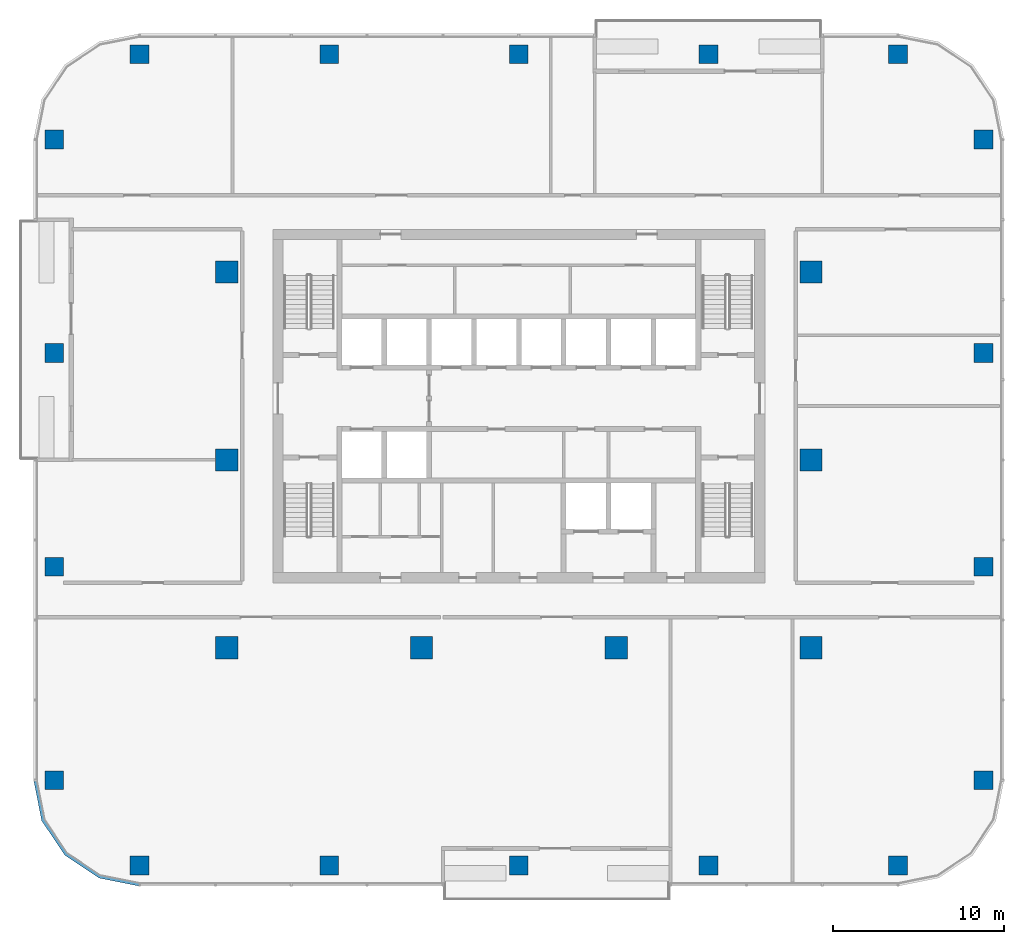
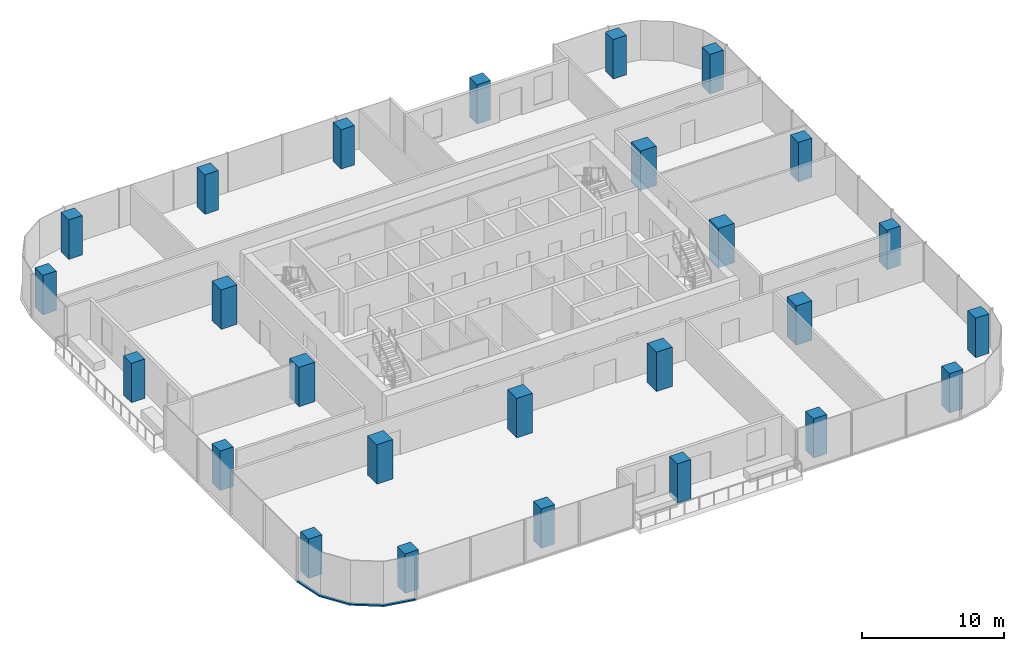
# One storey, part 1 of 14: 26 columns, 1 member, 1 element without a shape of its own.
"""IFC4 building model written with IfcOpenShell, lengths in metres."""

from ifc_helpers import new_model, si_unit, direction, frame, origin, origin_2d, place, context, subcontext, project, spatial, polyline, rectangle, outline, extrude, material, material_profile, profile_set, type_object, element, aggregate, save


model = new_model("IFC4")

# Units and contexts
model_context = context("Model", 3, precision=1e-05, world=origin(), true_north=direction((0.0, 1.0)))
body_context = subcontext(model_context, "Body", "Model", "MODEL_VIEW")
ifc_project = project(units=[si_unit("LENGTHUNIT", "METRE"), si_unit("AREAUNIT", "SQUARE_METRE"), si_unit("VOLUMEUNIT", "CUBIC_METRE"), si_unit("PLANEANGLEUNIT", "RADIAN"), si_unit("MASSUNIT", "GRAM", prefix="KILO")], contexts=[model_context])

# Site, building, storey
site_placement = place(None, origin())
site = spatial("IfcSite", under=ifc_project, at=site_placement, CompositionType="ELEMENT")
building_placement = place(site_placement, origin())
building = spatial("IfcBuilding", under=site, at=building_placement, Name="Mopane Tessera Tower", CompositionType="ELEMENT")
storey_placement = place(building_placement, frame((0.0, 0.0, 255.0)))
storey = spatial("IfcBuildingStorey", under=building, at=storey_placement, Name="L55", CompositionType="ELEMENT", Elevation=255.0)

# Columns
ifc_material_1 = material(Name="Concrete C50/60", Category="concrete")
ifc_material_profile_1 = material_profile(ifc_material_1, rectangle(XDim=1.300048828125, YDim=1.300048828125, at=origin_2d()))
ifc_profile_set_1 = profile_set([ifc_material_profile_1], Name="Concrete C50/60")
column_type_1 = type_object("IfcColumnType", Name="Interior column 1300 x 1300 C50/60", PredefinedType="COLUMN", material=ifc_profile_set_1)
for number, where, z_axis, x_axis, name in (
    (1, (-17.10009765625, -11.0, 0.0), (0.0, 0.0, 1.0), (1.0, 0.0, 0.0), "Interior column I1A L55"),
    (2, (-17.10009765625, 0.0, 0.0), (0.0, 0.0, 1.0), (1.0, 0.0, 0.0), "Interior column I1B L55"),
    (3, (-17.10009765625, 11.0, 0.0), (0.0, 0.0, 1.0), (1.0, 0.0, 0.0), "Interior column I1C L55"),
    (4, (-5.699951171875, -11.0, 0.0), (0.0, 0.0, 1.0), (1.0, 0.0, 0.0), "Interior column I2A L55"),
    (5, (5.699951171875, -11.0, 0.0), (0.0, 0.0, 1.0), (1.0, 0.0, 0.0), "Interior column I3A L55"),
    (6, (17.10009765625, -11.0, 0.0), (0.0, 0.0, 1.0), (1.0, 0.0, 0.0), "Interior column I4A L55"),
    (7, (17.10009765625, 0.0, 0.0), (0.0, 0.0, 1.0), (1.0, 0.0, 0.0), "Interior column I4B L55"),
    (8, (17.10009765625, 11.0, 0.0), (0.0, 0.0, 1.0), (1.0, 0.0, 0.0), "Interior column I4C L55"),
):
    element("IfcColumn", number, at=place(storey_placement, frame(where, z_axis=z_axis, x_axis=x_axis)), inside=storey, type_object=column_type_1, Name=name, PredefinedType="COLUMN", context=body_context, shape_type="SweptSolid", body=[
        extrude(rectangle(XDim=1.300048828125, YDim=1.300048828125, at=origin_2d()), origin(), (0.0, 0.0, 1.0), 3.39990234375),
    ])
ifc_material_2 = material(Name="Concrete C50/60", Category="concrete")
ifc_material_profile_2 = material_profile(ifc_material_2, rectangle(XDim=1.10009765625, YDim=1.10009765625, at=origin_2d()))
ifc_profile_set_2 = profile_set([ifc_material_profile_2], Name="Concrete C50/60")
column_type_2 = type_object("IfcColumnType", Name="Ring column 1100 x 1100 C50/60", PredefinedType="COLUMN", material=ifc_profile_set_2)
for number, where, z_axis, x_axis, name in (
    (9, (-22.199951171875, -23.75, 0.0), (0.0, 0.0, 1.0), (1.0, 0.0, 0.0), "Ring column S0 L55"),
    (10, (-11.10009765625, -23.75, 0.0), (0.0, 0.0, 1.0), (1.0, 0.0, 0.0), "Ring column S1 L55"),
    (11, (0.0, -23.75, 0.0), (0.0, 0.0, 1.0), (1.0, 0.0, 0.0), "Ring column S2 L55"),
    (12, (11.10009765625, -23.75, 0.0), (0.0, 0.0, 1.0), (1.0, 0.0, 0.0), "Ring column S3 L55"),
    (13, (22.199951171875, -23.75, 0.0), (0.0, 0.0, 1.0), (1.0, 0.0, 0.0), "Ring column S4 L55"),
    (14, (27.199951171875, -18.75, 0.0), (0.0, 0.0, 1.0), (1.0, 0.0, 0.0), "Ring column E0 L55"),
    (15, (27.199951171875, -6.25, 0.0), (0.0, 0.0, 1.0), (1.0, 0.0, 0.0), "Ring column E1 L55"),
    (16, (27.199951171875, 6.25, 0.0), (0.0, 0.0, 1.0), (1.0, 0.0, 0.0), "Ring column E2 L55"),
    (17, (27.199951171875, 18.75, 0.0), (0.0, 0.0, 1.0), (1.0, 0.0, 0.0), "Ring column E3 L55"),
    (18, (22.199951171875, 23.75, 0.0), (0.0, 0.0, 1.0), (1.0, 0.0, 0.0), "Ring column N0 L55"),
    (19, (11.10009765625, 23.75, 0.0), (0.0, 0.0, 1.0), (1.0, 0.0, 0.0), "Ring column N1 L55"),
    (20, (0.0, 23.75, 0.0), (0.0, 0.0, 1.0), (1.0, 0.0, 0.0), "Ring column N2 L55"),
    (21, (-11.10009765625, 23.75, 0.0), (0.0, 0.0, 1.0), (1.0, 0.0, 0.0), "Ring column N3 L55"),
    (22, (-22.199951171875, 23.75, 0.0), (0.0, 0.0, 1.0), (1.0, 0.0, 0.0), "Ring column N4 L55"),
    (23, (-27.199951171875, 18.75, 0.0), (0.0, 0.0, 1.0), (1.0, 0.0, 0.0), "Ring column W0 L55"),
    (24, (-27.199951171875, 6.25, 0.0), (0.0, 0.0, 1.0), (1.0, 0.0, 0.0), "Ring column W1 L55"),
    (25, (-27.199951171875, -6.25, 0.0), (0.0, 0.0, 1.0), (1.0, 0.0, 0.0), "Ring column W2 L55"),
    (26, (-27.199951171875, -18.75, 0.0), (0.0, 0.0, 1.0), (1.0, 0.0, 0.0), "Ring column W3 L55"),
):
    element("IfcColumn", number, at=place(storey_placement, frame(where, z_axis=z_axis, x_axis=x_axis)), inside=storey, type_object=column_type_2, Name=name, PredefinedType="COLUMN", context=body_context, shape_type="SweptSolid", body=[
        extrude(rectangle(XDim=1.10009765625, YDim=1.10009765625, at=origin_2d()), origin(), (0.0, 0.0, 1.0), 3.39990234375),
    ])

# Curtain wall, member
ifc_material_3 = material(Name="Aluminium frame", Category="aluminium")
curtain_wall_type = type_object("IfcCurtainWallType", Name="Unitised curtain wall", PredefinedType="NOTDEFINED", material=ifc_material_3)
curtain_wall_placement = place(storey_placement, origin())
curtain_wall = element("IfcCurtainWall", 27, at=curtain_wall_placement, inside=storey, type_object=curtain_wall_type, Name="e:cw:L55:CW", PredefinedType="NOTDEFINED")
ifc_material_4 = material(Name="Aluminium frame", Category="aluminium")
ifc_material_profile_3 = material_profile(ifc_material_4, rectangle(XDim=0.199951171875, YDim=0.1201171875, at=origin_2d()))
ifc_profile_set_3 = profile_set([ifc_material_profile_3], Name="Aluminium frame")
member_type = type_object("IfcMemberType", Name="Aluminium transom 200 x 120", PredefinedType="USERDEFINED", material=ifc_profile_set_3)
member_placement = place(storey_placement, frame((0.0, 0.0, -0.39990234375)))
member = element("IfcMember", 28, at=member_placement, type_object=member_type, Name="e:cw:L55:CW:tr", ObjectType="TRANSOM", PredefinedType="USERDEFINED", context=body_context, shape_type="SweptSolid", body=[
    extrude(outline(polyline([(-28.199951171875, -18.75), (-27.7431640625, -21.046142578125), (-26.442626953125, -22.99267578125), (-24.49609375, -24.293212890625), (-22.199951171875, -24.75), (-22.199951171875, -24.949951171875), (-24.57275390625, -24.47802734375), (-26.583984375, -23.134033203125), (-27.927978515625, -21.12255859375), (-28.39990234375, -18.75), (-28.199951171875, -18.75)])), origin(), (0.0, 0.0, 1.0), 0.119873046875),
])
aggregate(curtain_wall, [member])

save(model, "model.ifc")
